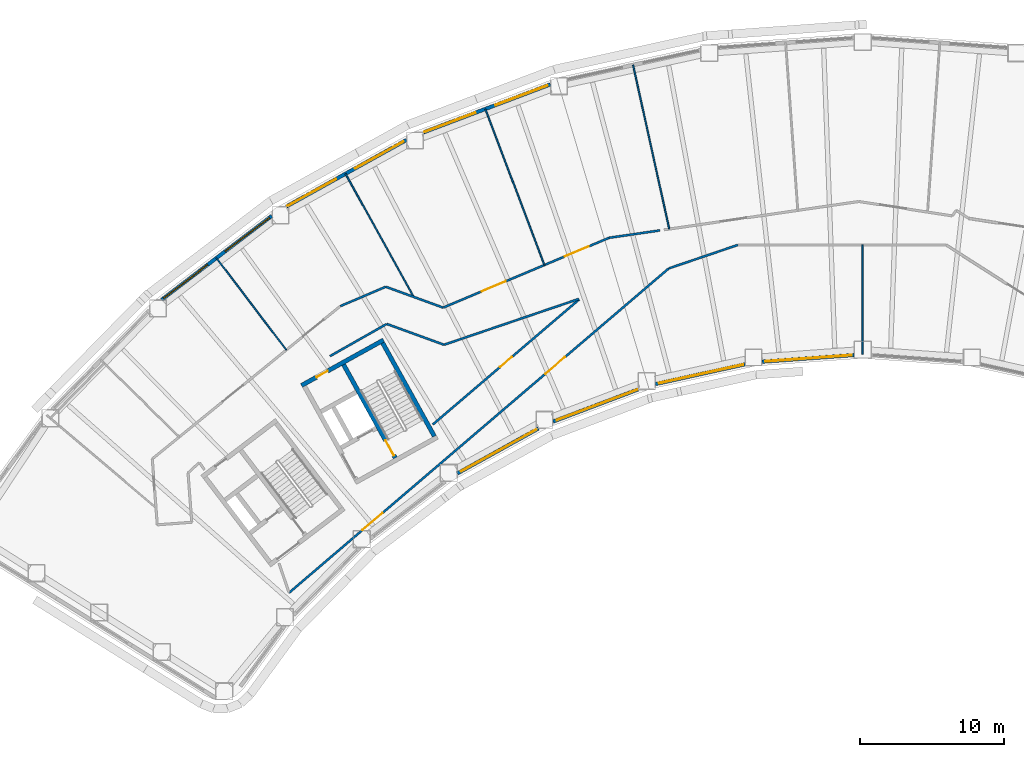
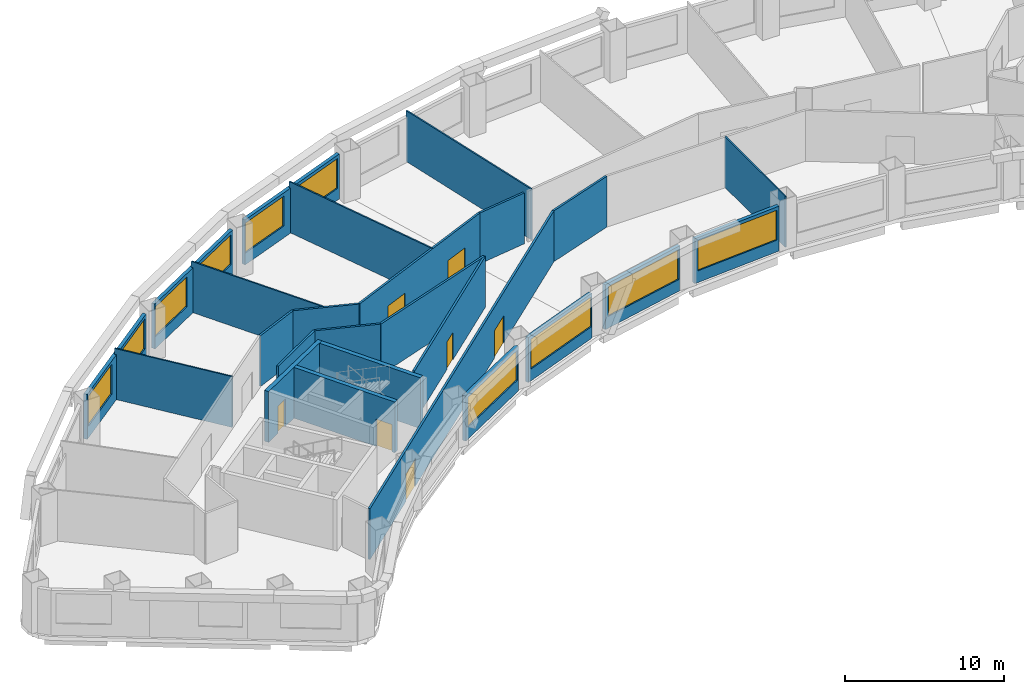
# One storey, part 4 of 11: 25 walls, 10 windows, 7 doors, 17 openings.
"""IFC4 building model written with IfcOpenShell, lengths in metres."""

from ifc_helpers import new_model, si_unit, direction, frame, frame_2d, origin, place, context, subcontext, project, spatial, rectangle, extrude, material, layer, layer_set, type_object, element, fill, save


model = new_model("IFC4")

# Units and contexts
model_context = context("Model", 3, precision=1e-05, world=origin(), true_north=direction((0.0, 1.0)))
body_context = subcontext(model_context, "Body", "Model", "MODEL_VIEW")
ifc_project = project(units=[si_unit("LENGTHUNIT", "METRE"), si_unit("AREAUNIT", "SQUARE_METRE"), si_unit("VOLUMEUNIT", "CUBIC_METRE"), si_unit("PLANEANGLEUNIT", "RADIAN"), si_unit("MASSUNIT", "GRAM", prefix="KILO")], contexts=[model_context])

# Site, building, storey
site_placement = place(None, origin())
site = spatial("IfcSite", under=ifc_project, at=site_placement, CompositionType="ELEMENT")
building_placement = place(site_placement, origin())
building = spatial("IfcBuilding", under=site, at=building_placement, Name="Tuul Gate Civic Tower", CompositionType="ELEMENT")
storey_placement = place(building_placement, frame((0.0, 0.0, 69.60009765625)))
storey = spatial("IfcBuildingStorey", under=building, at=storey_placement, Name="Level 15", CompositionType="ELEMENT", Elevation=69.60009765625)

# Wall, opening, door
ifc_material_1 = material(Name="Concrete C50/60", Category="concrete")
ifc_layer_1 = layer(ifc_material_1, 0.300048828125)
ifc_layer_set_1 = layer_set([ifc_layer_1], Name="Concrete C50/60")
wall_type_1 = type_object("IfcWallType", Name="Core wall C50/60", PredefinedType="SHEAR", material=ifc_layer_set_1)
wall_1_placement = place(storey_placement, frame((-28.4443359375, -1.98095703125, 0.0), z_axis=(0.0, 0.0, 1.0), x_axis=(-0.874629909008, -0.484791215132, 0.0)))
wall_1 = element("IfcWall", 1, at=wall_1_placement, inside=storey, type_object=wall_type_1, Name="Core wall", PredefinedType="SHEAR", context=body_context, shape_type="SweptSolid", body=[
    extrude(rectangle(XDim=6.5, YDim=0.300048828125, at=frame_2d((3.25, 0.0))), origin(), (0.0, 0.0, 1.0), 3.89990234375),
])
opening_1_placement = place(wall_1_placement, frame((4.425048828125, 0.0, 0.0)))
opening_1 = element("IfcOpeningElement", 2, at=opening_1_placement, cuts=wall_1, Name="Opening D-D23", PredefinedType="OPENING", context=body_context, shape_type="SweptSolid", body=[
    extrude(rectangle(XDim=0.89990234375, YDim=2.10009765625, at=frame_2d((0.449951171875, 1.050048828125))), frame((0.0, 0.16015625, 0.0), z_axis=(0.0, -1.0, 0.0), x_axis=(1.0, 0.0, 0.0)), (0.0, 0.0, 1.0), 0.320068359375),
])
ifc_material_2 = material(Name="Timber door leaf", Category="wood")
door_type_1 = type_object("IfcDoorType", Name="Door D09", OperationType="NOTDEFINED", PredefinedType="DOOR", material=ifc_material_2)
door_1_placement = place(opening_1_placement, origin())
door_1 = element("IfcDoor", 3, at=door_1_placement, inside=storey, type_object=door_type_1, Name="Door D-D23", OperationType="SINGLE_SWING_LEFT", OverallHeight=2.10009765625, OverallWidth=0.89990234375, PredefinedType="DOOR", context=body_context, shape_type="SweptSolid", body=[
    extrude(rectangle(XDim=0.89990234375, YDim=2.10009765625, at=frame_2d((0.449951171875, 1.050048828125))), frame((0.0, 0.02490234375, 0.0), z_axis=(0.0, -1.0, 0.0), x_axis=(1.0, 0.0, 0.0)), (0.0, 0.0, 1.0), 0.050048828125),
])
fill(opening_1, door_1)

# Wall
wall_2_placement = place(storey_placement, frame((-24.91552734375, -8.6572265625, 0.0), z_axis=(0.0, 0.0, 1.0), x_axis=(-0.484777133038, 0.874637714304, 0.0)))
element("IfcWall", 4, at=wall_2_placement, inside=storey, type_object=wall_type_1, Name="Core wall", PredefinedType="SHEAR", context=body_context, shape_type="SweptSolid", body=[
    extrude(rectangle(XDim=7.400146484375, YDim=0.300048828125, at=frame_2d((3.7001953125, 0.0))), origin(), (0.0, 0.0, 1.0), 3.89990234375),
])

# Wall, opening, door
wall_3_placement = place(storey_placement, frame((-27.626953125, -10.16015625, 0.0), z_axis=(0.0, 0.0, 1.0), x_axis=(-0.484751894226, 0.874651702704, 0.0)))
wall_3 = element("IfcWall", 5, at=wall_3_placement, inside=storey, type_object=wall_type_1, Name="Core wall", PredefinedType="SHEAR", context=body_context, shape_type="SweptSolid", body=[
    extrude(rectangle(XDim=7.39990234375, YDim=0.300048828125, at=frame_2d((3.699951171875, 0.0))), origin(), (0.0, 0.0, 1.0), 3.89990234375),
])
opening_2_placement = place(wall_3_placement, frame((0.199951171875, 0.0, 0.0)))
opening_2 = element("IfcOpeningElement", 6, at=opening_2_placement, cuts=wall_3, Name="Opening SD-ST-2", PredefinedType="OPENING", context=body_context, shape_type="SweptSolid", body=[
    extrude(rectangle(XDim=1.199951171875, YDim=2.10009765625, at=frame_2d((0.60009765625, 1.050048828125))), frame((0.0, 0.16015625, 0.0), z_axis=(0.0, -1.0, 0.0), x_axis=(1.0, 0.0, 0.0)), (0.0, 0.0, 1.0), 0.320068359375),
])
ifc_material_3 = material(Name="Steel", Category="steel")
door_type_2 = type_object("IfcDoorType", Name="Stair door", OperationType="NOTDEFINED", PredefinedType="DOOR", material=ifc_material_3)
door_2_placement = place(opening_2_placement, origin())
door_2 = element("IfcDoor", 7, at=door_2_placement, inside=storey, type_object=door_type_2, Name="Stair door ST-2", OperationType="SINGLE_SWING_LEFT", OverallHeight=2.10009765625, OverallWidth=1.199951171875, PredefinedType="DOOR", context=body_context, shape_type="SweptSolid", body=[
    extrude(rectangle(XDim=1.199951171875, YDim=2.10009765625, at=frame_2d((0.60009765625, 1.050048828125))), frame((0.0, 0.02490234375, 0.0), z_axis=(0.0, -1.0, 0.0), x_axis=(1.0, 0.0, 0.0)), (0.0, 0.0, 1.0), 0.050048828125),
])
fill(opening_2, door_2)

# Wall
ifc_material_4 = material(Name="Gypsum board partition")
ifc_layer_2 = layer(ifc_material_4, 0.14990234375)
ifc_layer_set_2 = layer_set([ifc_layer_2], Name="Gypsum board partition")
wall_type_2 = type_object("IfcWallType", Name="Corridor wall P150", PredefinedType="PARTITIONING", material=ifc_layer_set_2)
wall_4_placement = place(storey_placement, frame((-12.78564453125, 5.115478515625, 0.0), z_axis=(0.0, 0.0, 1.0), x_axis=(0.989602242761, 0.143831154912, 0.0)))
element("IfcWall", 8, at=wall_4_placement, inside=storey, type_object=wall_type_2, Name="p024", PredefinedType="PARTITIONING", context=body_context, shape_type="SweptSolid", body=[
    extrude(rectangle(XDim=3.5595703125, YDim=0.14990234375, at=frame_2d((1.77978515625, 0.0))), origin(), (0.0, 0.0, 1.0), 3.89990234375),
])

# Wall, opening, door
wall_5_placement = place(storey_placement, frame((-25.0244140625, -7.84130859375, 0.0), z_axis=(0.0, 0.0, 1.0), x_axis=(0.760328562732, 0.64953866451, 0.0)))
wall_5 = element("IfcWall", 9, at=wall_5_placement, inside=storey, type_object=wall_type_2, Name="p028", PredefinedType="PARTITIONING", context=body_context, shape_type="SweptSolid", body=[
    extrude(rectangle(XDim=13.36279296875, YDim=0.14990234375, at=frame_2d((6.681396484375, 0.0))), origin(), (0.0, 0.0, 1.0), 3.89990234375),
])
opening_3_placement = place(wall_5_placement, frame((6.13134765625, 0.0, 0.0)))
opening_3 = element("IfcOpeningElement", 10, at=opening_3_placement, cuts=wall_5, Name="Opening D-D20", PredefinedType="OPENING", context=body_context, shape_type="SweptSolid", body=[
    extrude(rectangle(XDim=1.10009765625, YDim=2.10009765625, at=frame_2d((0.550048828125, 1.050048828125))), frame((0.0, 0.0849609375, 0.0), z_axis=(0.0, -1.0, 0.0), x_axis=(1.0, 0.0, 0.0)), (0.0, 0.0, 1.0), 0.169921875),
])
ifc_material_5 = material(Name="Timber door leaf", Category="wood")
door_type_3 = type_object("IfcDoorType", Name="Door D11", OperationType="NOTDEFINED", PredefinedType="DOOR", material=ifc_material_5)
door_3_placement = place(opening_3_placement, origin())
door_3 = element("IfcDoor", 11, at=door_3_placement, inside=storey, type_object=door_type_3, Name="Door D-D20", OperationType="SINGLE_SWING_RIGHT", OverallHeight=2.10009765625, OverallWidth=1.10009765625, PredefinedType="DOOR", context=body_context, shape_type="SweptSolid", body=[
    extrude(rectangle(XDim=1.10009765625, YDim=2.10009765625, at=frame_2d((0.550048828125, 1.050048828125))), frame((0.0, 0.02490234375, 0.0), z_axis=(0.0, -1.0, 0.0), x_axis=(1.0, 0.0, 0.0)), (0.0, 0.0, 1.0), 0.050048828125),
])
fill(opening_3, door_3)

# Wall, openings, doors
wall_6_placement = place(storey_placement, frame((-24.299560546875, 0.2724609375, 0.0), z_axis=(0.0, 0.0, 1.0), x_axis=(0.921779177924, 0.387715291349, 0.0)))
wall_6 = element("IfcWall", 12, at=wall_6_placement, inside=storey, type_object=wall_type_2, Name="p029", PredefinedType="PARTITIONING", context=body_context, shape_type="SweptSolid", body=[
    extrude(rectangle(XDim=12.489990234375, YDim=0.14990234375, at=frame_2d((6.2451171875, 0.0))), origin(), (0.0, 0.0, 1.0), 3.89990234375),
])
opening_4_placement = place(wall_6_placement, frame((9.151611328125, 0.0, 0.0)))
opening_4 = element("IfcOpeningElement", 13, at=opening_4_placement, cuts=wall_6, Name="Opening D-D08", PredefinedType="OPENING", context=body_context, shape_type="SweptSolid", body=[
    extrude(rectangle(XDim=1.800048828125, YDim=2.10009765625, at=frame_2d((0.89990234375, 1.050048828125))), frame((0.0, 0.0849609375, 0.0), z_axis=(0.0, -1.0, 0.0), x_axis=(1.0, 0.0, 0.0)), (0.0, 0.0, 1.0), 0.169921875),
])
opening_5_placement = place(wall_6_placement, frame((2.906494140625, 0.0, 0.0)))
opening_5 = element("IfcOpeningElement", 14, at=opening_5_placement, cuts=wall_6, Name="Opening D-D09", PredefinedType="OPENING", context=body_context, shape_type="SweptSolid", body=[
    extrude(rectangle(XDim=1.800048828125, YDim=2.10009765625, at=frame_2d((0.89990234375, 1.050048828125))), frame((0.0, 0.0849609375, 0.0), z_axis=(0.0, -1.0, 0.0), x_axis=(1.0, 0.0, 0.0)), (0.0, 0.0, 1.0), 0.169921875),
])
ifc_material_6 = material(Name="Timber door leaf, double", Category="wood")
door_type_4 = type_object("IfcDoorType", Name="Door D18", OperationType="DOUBLE_DOOR_SINGLE_SWING", PredefinedType="DOOR", material=ifc_material_6)
door_4_placement = place(opening_4_placement, origin())
door_4 = element("IfcDoor", 15, at=door_4_placement, inside=storey, type_object=door_type_4, Name="Door D-D08", OperationType="DOUBLE_DOOR_SINGLE_SWING", OverallHeight=2.10009765625, OverallWidth=1.800048828125, PredefinedType="DOOR", context=body_context, shape_type="SweptSolid", body=[
    extrude(rectangle(XDim=1.800048828125, YDim=2.10009765625, at=frame_2d((0.89990234375, 1.050048828125))), frame((0.0, 0.02490234375, 0.0), z_axis=(0.0, -1.0, 0.0), x_axis=(1.0, 0.0, 0.0)), (0.0, 0.0, 1.0), 0.050048828125),
])
fill(opening_4, door_4)
door_5_placement = place(opening_5_placement, origin())
door_5 = element("IfcDoor", 16, at=door_5_placement, inside=storey, type_object=door_type_4, Name="Door D-D09", OperationType="DOUBLE_DOOR_SINGLE_SWING", OverallHeight=2.10009765625, OverallWidth=1.800048828125, PredefinedType="DOOR", context=body_context, shape_type="SweptSolid", body=[
    extrude(rectangle(XDim=1.800048828125, YDim=2.10009765625, at=frame_2d((0.89990234375, 1.050048828125))), frame((0.0, 0.02490234375, 0.0), z_axis=(0.0, -1.0, 0.0), x_axis=(1.0, 0.0, 0.0)), (0.0, 0.0, 1.0), 0.050048828125),
])
fill(opening_5, door_5)

# Walls
wall_7_placement = place(storey_placement, frame((-28.2880859375, 1.718017578125, 0.0), z_axis=(0.0, 0.0, 1.0), x_axis=(0.939736097702, -0.34190066785, 0.0)))
element("IfcWall", 17, at=wall_7_placement, inside=storey, type_object=wall_type_2, Name="p031", PredefinedType="PARTITIONING", context=body_context, shape_type="SweptSolid", body=[
    extrude(rectangle(XDim=4.228759765625, YDim=0.14990234375, at=frame_2d((2.1142578125, 0.0))), origin(), (0.0, 0.0, 1.0), 3.89990234375),
])
wall_8_placement = place(storey_placement, frame((-31.446044921875, 0.367919921875, 0.0), z_axis=(0.0, 0.0, 1.0), x_axis=(0.919450012258, 0.393206911127, 0.0)))
element("IfcWall", 18, at=wall_8_placement, inside=storey, type_object=wall_type_2, Name="p033", PredefinedType="PARTITIONING", context=body_context, shape_type="SweptSolid", body=[
    extrude(rectangle(XDim=3.43359375, YDim=0.14990234375, at=frame_2d((1.716796875, 0.0))), origin(), (0.0, 0.0, 1.0), 3.89990234375),
])

# Wall, openings, doors
wall_9_placement = place(storey_placement, frame((-34.99658203125, -19.5166015625, 0.0), z_axis=(0.0, 0.0, 1.0), x_axis=(0.760343231468, 0.649521493378, 0.0)))
wall_9 = element("IfcWall", 19, at=wall_9_placement, inside=storey, type_object=wall_type_2, Name="p048", PredefinedType="PARTITIONING", context=body_context, shape_type="SweptSolid", body=[
    extrude(rectangle(XDim=34.651123046875, YDim=0.14990234375, at=frame_2d((17.32568359375, 0.0))), origin(), (0.0, 0.0, 1.0), 3.89990234375),
])
opening_6_placement = place(wall_9_placement, frame((23.39501953125, 0.0, 0.0)))
opening_6 = element("IfcOpeningElement", 20, at=opening_6_placement, cuts=wall_9, Name="Opening D-D16", PredefinedType="OPENING", context=body_context, shape_type="SweptSolid", body=[
    extrude(rectangle(XDim=1.800048828125, YDim=2.10009765625, at=frame_2d((0.89990234375, 1.050048828125))), frame((0.0, 0.0849609375, 0.0), z_axis=(0.0, -1.0, 0.0), x_axis=(1.0, 0.0, 0.0)), (0.0, 0.0, 1.0), 0.169921875),
])
opening_7_placement = place(wall_9_placement, frame((6.719970703125, 0.0, 0.0)))
opening_7 = element("IfcOpeningElement", 21, at=opening_7_placement, cuts=wall_9, Name="Opening D-D17", PredefinedType="OPENING", context=body_context, shape_type="SweptSolid", body=[
    extrude(rectangle(XDim=1.800048828125, YDim=2.10009765625, at=frame_2d((0.89990234375, 1.050048828125))), frame((0.0, 0.0849609375, 0.0), z_axis=(0.0, -1.0, 0.0), x_axis=(1.0, 0.0, 0.0)), (0.0, 0.0, 1.0), 0.169921875),
])
door_6_placement = place(opening_6_placement, frame((1.800048828125, 0.0, 0.0), z_axis=(0.0, 0.0, 1.0), x_axis=(-1.0, 0.0, 0.0)))
door_6 = element("IfcDoor", 22, at=door_6_placement, inside=storey, type_object=door_type_4, Name="Door D-D16", OperationType="DOUBLE_DOOR_SINGLE_SWING", OverallHeight=2.10009765625, OverallWidth=1.800048828125, PredefinedType="DOOR", context=body_context, shape_type="SweptSolid", body=[
    extrude(rectangle(XDim=1.800048828125, YDim=2.10009765625, at=frame_2d((0.900146484375, 1.050048828125))), frame((0.0, 0.02490234375, 0.0), z_axis=(0.0, -1.0, 0.0), x_axis=(1.0, 0.0, 0.0)), (0.0, 0.0, 1.0), 0.050048828125),
])
fill(opening_6, door_6)
door_7_placement = place(opening_7_placement, origin())
door_7 = element("IfcDoor", 23, at=door_7_placement, inside=storey, type_object=door_type_4, Name="Door D-D17", OperationType="DOUBLE_DOOR_SINGLE_SWING", OverallHeight=2.10009765625, OverallWidth=1.800048828125, PredefinedType="DOOR", context=body_context, shape_type="SweptSolid", body=[
    extrude(rectangle(XDim=1.800048828125, YDim=2.10009765625, at=frame_2d((0.89990234375, 1.050048828125))), frame((0.0, 0.02490234375, 0.0), z_axis=(0.0, -1.0, 0.0), x_axis=(1.0, 0.0, 0.0)), (0.0, 0.0, 1.0), 0.050048828125),
])
fill(opening_7, door_7)

# Walls
wall_10_placement = place(storey_placement, frame((-24.242919921875, -2.307373046875, 0.0), z_axis=(0.0, 0.0, 1.0), x_axis=(0.946849798202, 0.321676016584, 0.0)))
element("IfcWall", 24, at=wall_10_placement, inside=storey, type_object=wall_type_2, Name="p049", PredefinedType="PARTITIONING", context=body_context, shape_type="SweptSolid", body=[
    extrude(rectangle(XDim=9.884765625, YDim=0.14990234375, at=frame_2d((4.9423828125, 0.0))), origin(), (0.0, 0.0, 1.0), 3.89990234375),
])
wall_11_placement = place(storey_placement, frame((-8.64990234375, 2.989990234375, 0.0), z_axis=(0.0, 0.0, 1.0), x_axis=(0.946835037056, 0.321719462581, 0.0)))
element("IfcWall", 25, at=wall_11_placement, inside=storey, type_object=wall_type_2, Name="p050", PredefinedType="PARTITIONING", context=body_context, shape_type="SweptSolid", body=[
    extrude(rectangle(XDim=5.063232421875, YDim=0.14990234375, at=frame_2d((2.53173828125, 0.0))), origin(), (0.0, 0.0, 1.0), 3.89990234375),
])
wall_12_placement = place(storey_placement, frame((-32.1611328125, -3.10009765625, 0.0), z_axis=(0.0, 0.0, 1.0), x_axis=(0.869667136578, 0.493638604199, 0.0)))
element("IfcWall", 26, at=wall_12_placement, inside=storey, type_object=wall_type_2, Name="p063", PredefinedType="PARTITIONING", context=body_context, shape_type="SweptSolid", body=[
    extrude(rectangle(XDim=4.525390625, YDim=0.14990234375, at=frame_2d((2.2626953125, 0.0))), origin(), (0.0, 0.0, 1.0), 3.89990234375),
])
wall_13_placement = place(storey_placement, frame((-28.208740234375, -0.86474609375, 0.0), z_axis=(0.0, 0.0, 1.0), x_axis=(0.939734280525, -0.341905662436, 0.0)))
element("IfcWall", 27, at=wall_13_placement, inside=storey, type_object=wall_type_2, Name="p064", PredefinedType="PARTITIONING", context=body_context, shape_type="SweptSolid", body=[
    extrude(rectangle(XDim=4.219482421875, YDim=0.14990234375, at=frame_2d((2.10986328125, 0.0))), origin(), (0.0, 0.0, 1.0), 3.89990234375),
])

# Wall, openings, windows
ifc_material_7 = material(Name="Precast concrete C40/50", Category="concrete")
ifc_layer_3 = layer(ifc_material_7, 0.25)
ifc_layer_set_3 = layer_set([ifc_layer_3], Name="Precast concrete C40/50")
wall_type_3 = type_object("IfcWallType", Name="External wall", PredefinedType="STANDARD", material=ifc_layer_set_3)
wall_14_placement = place(storey_placement, frame((-16.867919921875, 15.75830078125, 0.0), z_axis=(0.0, 0.0, 1.0), x_axis=(-0.935342969648, -0.353742178897, 0.0)))
wall_14 = element("IfcWall", 28, at=wall_14_placement, inside=storey, type_object=wall_type_3, Name="External wall", PredefinedType="STANDARD", context=body_context, shape_type="SweptSolid", body=[
    extrude(rectangle(XDim=9.39453125, YDim=0.25, at=frame_2d((4.697265625, 0.0))), origin(), (0.0, 0.0, 1.0), 3.449951171875),
])
opening_8_placement = place(wall_14_placement, frame((0.209716796875, 0.0, 0.89990234375)))
opening_8 = element("IfcOpeningElement", 29, at=opening_8_placement, cuts=wall_14, Name="Opening W22", PredefinedType="OPENING", context=body_context, shape_type="SweptSolid", body=[
    extrude(rectangle(XDim=3.85009765625, YDim=2.300048828125, at=frame_2d((1.925048828125, 1.14990234375))), frame((0.0, 0.135009765625, 0.0), z_axis=(0.0, -1.0, 0.0), x_axis=(1.0, 0.0, 0.0)), (0.0, 0.0, 1.0), 0.27001953125),
])
opening_9_placement = place(wall_14_placement, frame((5.549072265625, 0.0, 0.89990234375)))
opening_9 = element("IfcOpeningElement", 30, at=opening_9_placement, cuts=wall_14, Name="Opening W100", PredefinedType="OPENING", context=body_context, shape_type="SweptSolid", body=[
    extrude(rectangle(XDim=3.800048828125, YDim=2.300048828125, at=frame_2d((1.89990234375, 1.14990234375))), frame((0.0, 0.135009765625, 0.0), z_axis=(0.0, -1.0, 0.0), x_axis=(1.0, 0.0, 0.0)), (0.0, 0.0, 1.0), 0.27001953125),
])
ifc_material_8 = material(Name="Glass", Category="glass")
window_type_1 = type_object("IfcWindowType", Name="Window W100 3800 x 2300", PartitioningType="SINGLE_PANEL", PredefinedType="WINDOW", material=ifc_material_8)
window_1_placement = place(opening_9_placement, origin())
window_1 = element("IfcWindow", 31, at=window_1_placement, inside=storey, type_object=window_type_1, Name="Window", OverallHeight=2.300048828125, OverallWidth=3.800048828125, PartitioningType="SINGLE_PANEL", PredefinedType="WINDOW", context=body_context, shape_type="SweptSolid", body=[
    extrude(rectangle(XDim=3.800048828125, YDim=2.300048828125, at=frame_2d((1.89990234375, 1.14990234375))), frame((0.0, 0.030029296875, 0.0), z_axis=(0.0, -1.0, 0.0), x_axis=(1.0, 0.0, 0.0)), (0.0, 0.0, 1.0), 0.06005859375),
])
fill(opening_9, window_1)
ifc_material_9 = material(Name="Glass", Category="glass")
window_type_2 = type_object("IfcWindowType", Name="Window W22 3850 x 2300", PartitioningType="SINGLE_PANEL", PredefinedType="WINDOW", material=ifc_material_9)
window_2_placement = place(opening_8_placement, origin())
window_2 = element("IfcWindow", 32, at=window_2_placement, inside=storey, type_object=window_type_2, Name="Window", OverallHeight=2.300048828125, OverallWidth=3.85009765625, PartitioningType="SINGLE_PANEL", PredefinedType="WINDOW", context=body_context, shape_type="SweptSolid", body=[
    extrude(rectangle(XDim=3.85009765625, YDim=2.300048828125, at=frame_2d((1.925048828125, 1.14990234375))), frame((0.0, 0.030029296875, 0.0), z_axis=(0.0, -1.0, 0.0), x_axis=(1.0, 0.0, 0.0)), (0.0, 0.0, 1.0), 0.06005859375),
])
fill(opening_8, window_2)

wall_15_placement = place(storey_placement, frame((-26.85498046875, 11.89990234375, 0.0), z_axis=(0.0, 0.0, 1.0), x_axis=(-0.874624944876, -0.484800170999, 0.0)))
wall_15 = element("IfcWall", 33, at=wall_15_placement, inside=storey, type_object=wall_type_3, Name="External wall", PredefinedType="STANDARD", context=body_context, shape_type="SweptSolid", body=[
    extrude(rectangle(XDim=9.521484375, YDim=0.25, at=frame_2d((4.7607421875, 0.0))), origin(), (0.0, 0.0, 1.0), 3.449951171875),
])
opening_10_placement = place(wall_15_placement, frame((0.22265625, 0.0, 0.89990234375)))
opening_10 = element("IfcOpeningElement", 34, at=opening_10_placement, cuts=wall_15, Name="Opening W22", PredefinedType="OPENING", context=body_context, shape_type="SweptSolid", body=[
    extrude(rectangle(XDim=3.85009765625, YDim=2.300048828125, at=frame_2d((1.925048828125, 1.14990234375))), frame((0.0, 0.135009765625, 0.0), z_axis=(0.0, -1.0, 0.0), x_axis=(1.0, 0.0, 0.0)), (0.0, 0.0, 1.0), 0.27001953125),
])
opening_11_placement = place(wall_15_placement, frame((5.593994140625, 0.0, 0.89990234375)))
opening_11 = element("IfcOpeningElement", 35, at=opening_11_placement, cuts=wall_15, Name="Opening W22", PredefinedType="OPENING", context=body_context, shape_type="SweptSolid", body=[
    extrude(rectangle(XDim=3.85009765625, YDim=2.300048828125, at=frame_2d((1.925048828125, 1.14990234375))), frame((0.0, 0.135009765625, 0.0), z_axis=(0.0, -1.0, 0.0), x_axis=(1.0, 0.0, 0.0)), (0.0, 0.0, 1.0), 0.27001953125),
])
window_3_placement = place(opening_10_placement, origin())
window_3 = element("IfcWindow", 36, at=window_3_placement, inside=storey, type_object=window_type_2, Name="Window", OverallHeight=2.300048828125, OverallWidth=3.85009765625, PartitioningType="SINGLE_PANEL", PredefinedType="WINDOW", context=body_context, shape_type="SweptSolid", body=[
    extrude(rectangle(XDim=3.85009765625, YDim=2.300048828125, at=frame_2d((1.925048828125, 1.14990234375))), frame((0.0, 0.030029296875, 0.0), z_axis=(0.0, -1.0, 0.0), x_axis=(1.0, 0.0, 0.0)), (0.0, 0.0, 1.0), 0.06005859375),
])
fill(opening_10, window_3)
window_4_placement = place(opening_11_placement, origin())
window_4 = element("IfcWindow", 37, at=window_4_placement, inside=storey, type_object=window_type_2, Name="Window", OverallHeight=2.300048828125, OverallWidth=3.85009765625, PartitioningType="SINGLE_PANEL", PredefinedType="WINDOW", context=body_context, shape_type="SweptSolid", body=[
    extrude(rectangle(XDim=3.85009765625, YDim=2.300048828125, at=frame_2d((1.925048828125, 1.14990234375))), frame((0.0, 0.030029296875, 0.0), z_axis=(0.0, -1.0, 0.0), x_axis=(1.0, 0.0, 0.0)), (0.0, 0.0, 1.0), 0.06005859375),
])
fill(opening_11, window_4)

wall_16_placement = place(storey_placement, frame((-36.194091796875, 6.635986328125, 0.0), z_axis=(0.0, 0.0, 1.0), x_axis=(-0.795611941646, -0.605806601409, 0.0)))
wall_16 = element("IfcWall", 38, at=wall_16_placement, inside=storey, type_object=wall_type_3, Name="External wall", PredefinedType="STANDARD", context=body_context, shape_type="SweptSolid", body=[
    extrude(rectangle(XDim=9.607177734375, YDim=0.25, at=frame_2d((4.8037109375, 0.0))), origin(), (0.0, 0.0, 1.0), 3.449951171875),
])
opening_12_placement = place(wall_16_placement, frame((0.221923828125, 0.0, 0.89990234375)))
opening_12 = element("IfcOpeningElement", 39, at=opening_12_placement, cuts=wall_16, Name="Opening W22", PredefinedType="OPENING", context=body_context, shape_type="SweptSolid", body=[
    extrude(rectangle(XDim=3.85009765625, YDim=2.300048828125, at=frame_2d((1.925048828125, 1.14990234375))), frame((0.0, 0.135009765625, 0.0), z_axis=(0.0, -1.0, 0.0), x_axis=(1.0, 0.0, 0.0)), (0.0, 0.0, 1.0), 0.27001953125),
])
opening_13_placement = place(wall_16_placement, frame((5.59326171875, 0.0, 0.89990234375)))
opening_13 = element("IfcOpeningElement", 40, at=opening_13_placement, cuts=wall_16, Name="Opening W22", PredefinedType="OPENING", context=body_context, shape_type="SweptSolid", body=[
    extrude(rectangle(XDim=3.85009765625, YDim=2.300048828125, at=frame_2d((1.925048828125, 1.14990234375))), frame((0.0, 0.135009765625, 0.0), z_axis=(0.0, -1.0, 0.0), x_axis=(1.0, 0.0, 0.0)), (0.0, 0.0, 1.0), 0.27001953125),
])
window_5_placement = place(opening_12_placement, origin())
window_5 = element("IfcWindow", 41, at=window_5_placement, inside=storey, type_object=window_type_2, Name="Window", OverallHeight=2.300048828125, OverallWidth=3.85009765625, PartitioningType="SINGLE_PANEL", PredefinedType="WINDOW", context=body_context, shape_type="SweptSolid", body=[
    extrude(rectangle(XDim=3.85009765625, YDim=2.300048828125, at=frame_2d((1.925048828125, 1.14990234375))), frame((0.0, 0.030029296875, 0.0), z_axis=(0.0, -1.0, 0.0), x_axis=(1.0, 0.0, 0.0)), (0.0, 0.0, 1.0), 0.06005859375),
])
fill(opening_12, window_5)
window_6_placement = place(opening_13_placement, origin())
window_6 = element("IfcWindow", 42, at=window_6_placement, inside=storey, type_object=window_type_2, Name="Window", OverallHeight=2.300048828125, OverallWidth=3.85009765625, PartitioningType="SINGLE_PANEL", PredefinedType="WINDOW", context=body_context, shape_type="SweptSolid", body=[
    extrude(rectangle(XDim=3.85009765625, YDim=2.300048828125, at=frame_2d((1.925048828125, 1.14990234375))), frame((0.0, 0.030029296875, 0.0), z_axis=(0.0, -1.0, 0.0), x_axis=(1.0, 0.0, 0.0)), (0.0, 0.0, 1.0), 0.06005859375),
])
fill(opening_13, window_6)

# Wall, opening, window
wall_17_placement = place(storey_placement, frame((-23.318115234375, -11.23583984375, 0.0), z_axis=(0.0, 0.0, 1.0), x_axis=(0.874622293174, 0.484804954888, 0.0)))
wall_17 = element("IfcWall", 43, at=wall_17_placement, inside=storey, type_object=wall_type_3, Name="External wall", PredefinedType="STANDARD", context=body_context, shape_type="SweptSolid", body=[
    extrude(rectangle(XDim=6.433349609375, YDim=0.25, at=frame_2d((3.216796875, 0.0))), origin(), (0.0, 0.0, 1.0), 3.449951171875),
])
opening_14_placement = place(wall_17_placement, frame((0.289306640625, 0.0, 0.89990234375)))
opening_14 = element("IfcOpeningElement", 44, at=opening_14_placement, cuts=wall_17, Name="Opening W26", PredefinedType="OPENING", context=body_context, shape_type="SweptSolid", body=[
    extrude(rectangle(XDim=6.0, YDim=2.300048828125, at=frame_2d((3.0, 1.14990234375))), frame((0.0, 0.135009765625, 0.0), z_axis=(0.0, -1.0, 0.0), x_axis=(1.0, 0.0, 0.0)), (0.0, 0.0, 1.0), 0.27001953125),
])
ifc_material_10 = material(Name="Glass", Category="glass")
window_type_3 = type_object("IfcWindowType", Name="Window W26 6000 x 2300", PartitioningType="SINGLE_PANEL", PredefinedType="WINDOW", material=ifc_material_10)
window_7_placement = place(opening_14_placement, origin())
window_7 = element("IfcWindow", 45, at=window_7_placement, inside=storey, type_object=window_type_3, Name="Window", OverallHeight=2.300048828125, OverallWidth=6.0, PartitioningType="SINGLE_PANEL", PredefinedType="WINDOW", context=body_context, shape_type="SweptSolid", body=[
    extrude(rectangle(XDim=6.0, YDim=2.300048828125, at=frame_2d((3.0, 1.14990234375))), frame((0.0, 0.030029296875, 0.0), z_axis=(0.0, -1.0, 0.0), x_axis=(1.0, 0.0, 0.0)), (0.0, 0.0, 1.0), 0.06005859375),
])
fill(opening_14, window_7)

wall_18_placement = place(storey_placement, frame((-16.677978515625, -7.636962890625, 0.0), z_axis=(0.0, 0.0, 1.0), x_axis=(0.935355477431, 0.353709104829, 0.0)))
wall_18 = element("IfcWall", 46, at=wall_18_placement, inside=storey, type_object=wall_type_3, Name="External wall", PredefinedType="STANDARD", context=body_context, shape_type="SweptSolid", body=[
    extrude(rectangle(XDim=6.30859375, YDim=0.25, at=frame_2d((3.154296875, 0.0))), origin(), (0.0, 0.0, 1.0), 3.449951171875),
])
opening_15_placement = place(wall_18_placement, frame((0.276611328125, 0.0, 0.89990234375)))
opening_15 = element("IfcOpeningElement", 47, at=opening_15_placement, cuts=wall_18, Name="Opening W26", PredefinedType="OPENING", context=body_context, shape_type="SweptSolid", body=[
    extrude(rectangle(XDim=6.0, YDim=2.300048828125, at=frame_2d((3.0, 1.14990234375))), frame((0.0, 0.135009765625, 0.0), z_axis=(0.0, -1.0, 0.0), x_axis=(1.0, 0.0, 0.0)), (0.0, 0.0, 1.0), 0.27001953125),
])
window_8_placement = place(opening_15_placement, origin())
window_8 = element("IfcWindow", 48, at=window_8_placement, inside=storey, type_object=window_type_3, Name="Window", OverallHeight=2.300048828125, OverallWidth=6.0, PartitioningType="SINGLE_PANEL", PredefinedType="WINDOW", context=body_context, shape_type="SweptSolid", body=[
    extrude(rectangle(XDim=6.0, YDim=2.300048828125, at=frame_2d((3.0, 1.14990234375))), frame((0.0, 0.030029296875, 0.0), z_axis=(0.0, -1.0, 0.0), x_axis=(1.0, 0.0, 0.0)), (0.0, 0.0, 1.0), 0.06005859375),
])
fill(opening_15, window_8)

wall_19_placement = place(storey_placement, frame((-9.576904296875, -5.031982421875, 0.0), z_axis=(0.0, 0.0, 1.0), x_axis=(0.976560321841, 0.215243903065, 0.0)))
wall_19 = element("IfcWall", 49, at=wall_19_placement, inside=storey, type_object=wall_type_3, Name="External wall", PredefinedType="STANDARD", context=body_context, shape_type="SweptSolid", body=[
    extrude(rectangle(XDim=6.362060546875, YDim=0.25, at=frame_2d((3.18115234375, 0.0))), origin(), (0.0, 0.0, 1.0), 3.449951171875),
])
opening_16_placement = place(wall_19_placement, frame((0.25244140625, 0.0, 0.89990234375)))
opening_16 = element("IfcOpeningElement", 50, at=opening_16_placement, cuts=wall_19, Name="Opening W26", PredefinedType="OPENING", context=body_context, shape_type="SweptSolid", body=[
    extrude(rectangle(XDim=6.0, YDim=2.300048828125, at=frame_2d((3.0, 1.14990234375))), frame((0.0, 0.135009765625, 0.0), z_axis=(0.0, -1.0, 0.0), x_axis=(1.0, 0.0, 0.0)), (0.0, 0.0, 1.0), 0.27001953125),
])
window_9_placement = place(opening_16_placement, origin())
window_9 = element("IfcWindow", 51, at=window_9_placement, inside=storey, type_object=window_type_3, Name="Window", OverallHeight=2.300048828125, OverallWidth=6.0, PartitioningType="SINGLE_PANEL", PredefinedType="WINDOW", context=body_context, shape_type="SweptSolid", body=[
    extrude(rectangle(XDim=6.0, YDim=2.300048828125, at=frame_2d((3.0, 1.14990234375))), frame((0.0, 0.030029296875, 0.0), z_axis=(0.0, -1.0, 0.0), x_axis=(1.0, 0.0, 0.0)), (0.0, 0.0, 1.0), 0.06005859375),
])
fill(opening_16, window_9)

wall_20_placement = place(storey_placement, frame((-2.1640625, -3.47998046875, 0.0), z_axis=(0.0, 0.0, 1.0), x_axis=(0.997382879348, 0.072300705277, 0.0)))
wall_20 = element("IfcWall", 52, at=wall_20_placement, inside=storey, type_object=wall_type_3, Name="External wall", PredefinedType="STANDARD", context=body_context, shape_type="SweptSolid", body=[
    extrude(rectangle(XDim=6.388671875, YDim=0.25, at=frame_2d((3.1943359375, 0.0))), origin(), (0.0, 0.0, 1.0), 3.449951171875),
])
opening_17_placement = place(wall_20_placement, frame((0.2177734375, 0.0, 0.89990234375)))
opening_17 = element("IfcOpeningElement", 53, at=opening_17_placement, cuts=wall_20, Name="Opening W26", PredefinedType="OPENING", context=body_context, shape_type="SweptSolid", body=[
    extrude(rectangle(XDim=6.0, YDim=2.300048828125, at=frame_2d((3.0, 1.14990234375))), frame((0.0, 0.135009765625, 0.0), z_axis=(0.0, -1.0, 0.0), x_axis=(1.0, 0.0, 0.0)), (0.0, 0.0, 1.0), 0.27001953125),
])
window_10_placement = place(opening_17_placement, origin())
window_10 = element("IfcWindow", 54, at=window_10_placement, inside=storey, type_object=window_type_3, Name="Window", OverallHeight=2.300048828125, OverallWidth=6.0, PartitioningType="SINGLE_PANEL", PredefinedType="WINDOW", context=body_context, shape_type="SweptSolid", body=[
    extrude(rectangle(XDim=6.0, YDim=2.300048828125, at=frame_2d((3.0, 1.14990234375))), frame((0.0, 0.030029296875, 0.0), z_axis=(0.0, -1.0, 0.0), x_axis=(1.0, 0.0, 0.0)), (0.0, 0.0, 1.0), 0.06005859375),
])
fill(opening_17, window_10)

# Walls
ifc_material_11 = material(Name="Gypsum board partition")
ifc_layer_4 = layer(ifc_material_11, 0.10009765625)
ifc_layer_set_4 = layer_set([ifc_layer_4], Name="Gypsum board partition")
wall_type_4 = type_object("IfcWallType", Name="Partition P100", PredefinedType="PARTITIONING", material=ifc_layer_set_4)
wall_21_placement = place(storey_placement, frame((-11.125732421875, 17.10888671875, 0.0), z_axis=(0.0, 0.0, 1.0), x_axis=(0.21521205124, -0.976567341764, 0.0)))
element("IfcWall", 55, at=wall_21_placement, inside=storey, type_object=wall_type_4, Name="p026", PredefinedType="PARTITIONING", context=body_context, shape_type="SweptSolid", body=[
    extrude(rectangle(XDim=11.66064453125, YDim=0.10009765625, at=frame_2d((5.830322265625, 0.0))), origin(), (0.0, 0.0, 1.0), 3.89990234375),
])
wall_22_placement = place(storey_placement, frame((-21.378662109375, 14.0576171875, 0.0), z_axis=(0.0, 0.0, 1.0), x_axis=(0.353711683825, -0.935354502168, 0.0)))
element("IfcWall", 56, at=wall_22_placement, inside=storey, type_object=wall_type_4, Name="p027", PredefinedType="PARTITIONING", context=body_context, shape_type="SweptSolid", body=[
    extrude(rectangle(XDim=11.58203125, YDim=0.10009765625, at=frame_2d((5.791015625, 0.0))), origin(), (0.0, 0.0, 1.0), 3.89990234375),
])
wall_23_placement = place(storey_placement, frame((-31.084716796875, 9.56103515625, 0.0), z_axis=(0.0, 0.0, 1.0), x_axis=(0.484811473751, -0.874618679722, 0.0)))
element("IfcWall", 57, at=wall_23_placement, inside=storey, type_object=wall_type_4, Name="p030", PredefinedType="PARTITIONING", context=body_context, shape_type="SweptSolid", body=[
    extrude(rectangle(XDim=9.775390625, YDim=0.10009765625, at=frame_2d((4.8876953125, 0.0))), origin(), (0.0, 0.0, 1.0), 3.89990234375),
])
wall_24_placement = place(storey_placement, frame((-40.04150390625, 3.712646484375, 0.0), z_axis=(0.0, 0.0, 1.0), x_axis=(0.605770771616, -0.795639222421, 0.0)))
element("IfcWall", 58, at=wall_24_placement, inside=storey, type_object=wall_type_4, Name="p032", PredefinedType="PARTITIONING", context=body_context, shape_type="SweptSolid", body=[
    extrude(rectangle(XDim=8.019775390625, YDim=0.10009765625, at=frame_2d((4.009765625, 0.0))), origin(), (0.0, 0.0, 1.0), 3.89990234375),
])
wall_25_placement = place(storey_placement, frame((4.808349609375, -2.979736328125, 0.0), z_axis=(0.0, 0.0, 1.0), x_axis=(0.0, 1.0, 0.0)))
element("IfcWall", 59, at=wall_25_placement, inside=storey, type_object=wall_type_4, Name="p045", PredefinedType="PARTITIONING", context=body_context, shape_type="SweptSolid", body=[
    extrude(rectangle(XDim=7.5986328125, YDim=0.10009765625, at=frame_2d((3.79931640625, 0.0))), origin(), (0.0, 0.0, 1.0), 3.89990234375),
])

save(model, "model.ifc")
